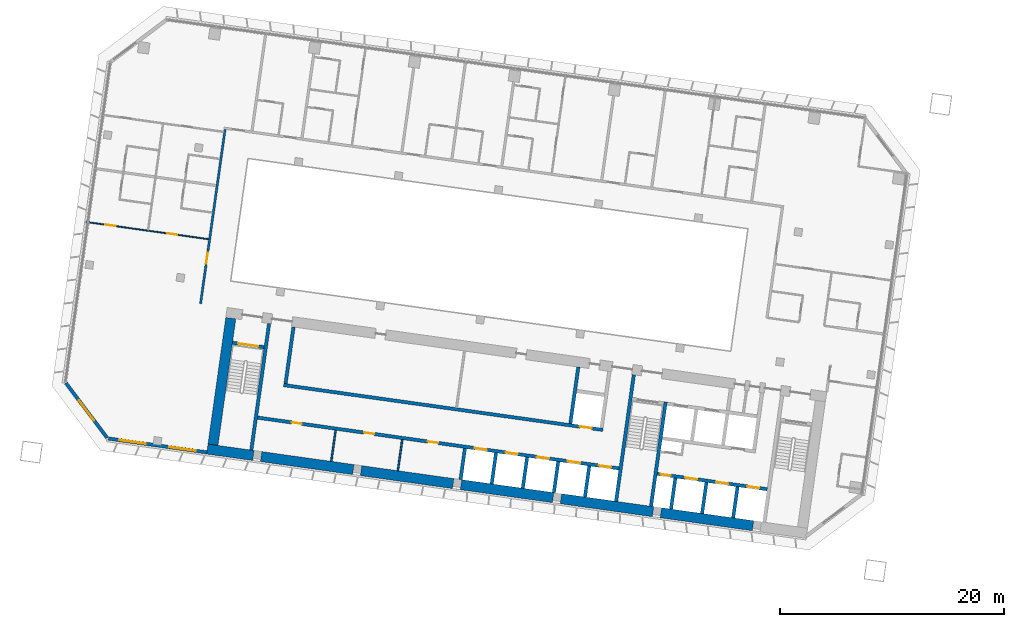
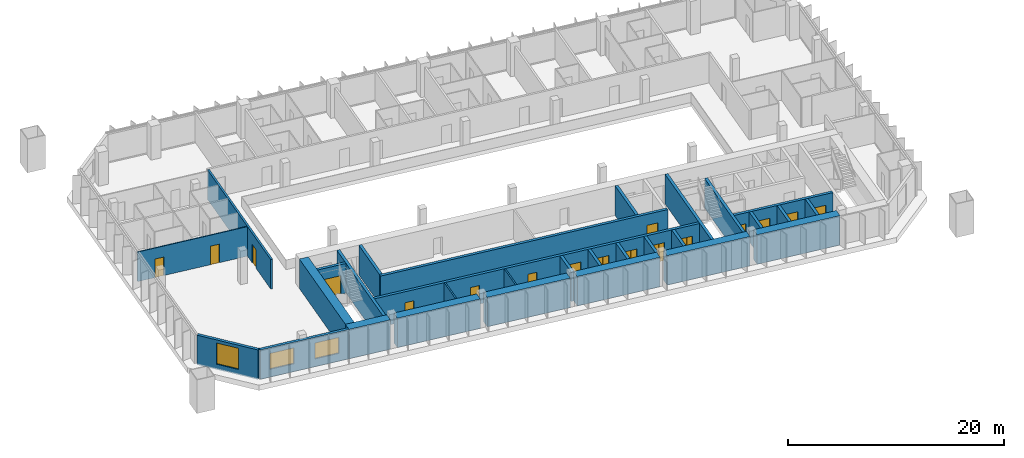
# One storey, part 14 of 25: 30 walls, 17 doors, 3 windows, 20 openings.
"""IFC4 building model written with IfcOpenShell, lengths in metres."""

import ifcopenshell
import ifcopenshell.guid

model = None  # the IFC model being written
_history = None  # IfcOwnerHistory: only IFC2X3 demands one
_inside = {}  # id of a spatial element -> (the spatial element, [elements in it])
_under = {}  # id of a project, library or spatial element -> (it, [spatial elements below it])
_declared = {}  # id of a project -> (the project, [libraries it declares])
_typed = {}  # id of a type object -> (the type object, [elements of that type])
_made_of = {}  # id of a material, layer set ... -> (it, [elements and type objects made of it])


def new_model(schema):
    """Start an empty IFC model of exactly this schema.

    Asked for "IFC4X3", IfcOpenShell would pick the latest addendum, in which some entities
    have other attributes; the version numbers below select the first issue.
    IFC2X3 requires an IfcOwnerHistory on every rooted entity: one is made here for all.
    """
    global model, _history
    if schema == "IFC4X3":
        model = ifcopenshell.file(schema_version=(4, 3, 0, 0))
    else:
        model = ifcopenshell.file(schema=schema)
    _inside.clear()
    _under.clear()
    _declared.clear()
    _typed.clear()
    _made_of.clear()
    _history = None
    if model.schema == "IFC2X3":
        org = make("IfcOrganization", Name="unknown")
        user = make(
            "IfcPersonAndOrganization",
            ThePerson=make("IfcPerson", FamilyName="unknown"),
            TheOrganization=org,
        )
        app = make(
            "IfcApplication",
            ApplicationDeveloper=org,
            Version="unknown",
            ApplicationFullName="unknown",
            ApplicationIdentifier="unknown",
        )
        _history = make(
            "IfcOwnerHistory",
            OwningUser=user,
            OwningApplication=app,
            ChangeAction="ADDED",
            CreationDate=0,
        )
    return model


def make(cls, **values):
    """One entity of the class cls with the attributes given. An attribute that is None is left unset."""
    return model.create_entity(
        cls, **{name: value for name, value in values.items() if value is not None}
    )


def rooted(cls, **values):
    """An entity with a GlobalId (a new one), such as an element, a storey or a relation."""
    return make(cls, GlobalId=ifcopenshell.guid.new(), OwnerHistory=_history, **values)


def si_unit(unit_type, name, prefix=None):
    """IfcSIUnit, for example si_unit("LENGTHUNIT", "METRE", prefix="MILLI")."""
    return make("IfcSIUnit", UnitType=unit_type, Prefix=prefix, Name=name)


def assignment(units):
    """IfcUnitAssignment: the units of a project."""
    return None if units is None else make("IfcUnitAssignment", Units=units)


def point(xyz):
    """IfcCartesianPoint."""
    return None if xyz is None else make("IfcCartesianPoint", Coordinates=xyz)


def direction(xyz):
    """IfcDirection."""
    return None if xyz is None else make("IfcDirection", DirectionRatios=xyz)


def frame(location, z_axis=None, x_axis=None):
    """IfcAxis2Placement3D, a coordinate frame: its origin and axes. An axis left out is left unset."""
    return make(
        "IfcAxis2Placement3D",
        Location=point(location),
        Axis=direction(z_axis),
        RefDirection=direction(x_axis),
    )


def frame_2d(location, x_axis=None):
    """IfcAxis2Placement2D, a coordinate frame in the plane: its origin and x axis."""
    return make(
        "IfcAxis2Placement2D", Location=point(location), RefDirection=direction(x_axis)
    )


def origin():
    """The frame at (0, 0, 0) with its axes left unset."""
    return frame((0.0, 0.0, 0.0))


def place(relative_to, where):
    """IfcLocalPlacement: puts the frame where relative to a parent placement (None: the world)."""
    return make(
        "IfcLocalPlacement", PlacementRelTo=relative_to, RelativePlacement=where
    )


def context(
    kind, dimensions, precision=None, world=None, true_north=None, identifier=None
):
    """IfcGeometricRepresentationContext, for example the 3D "Model" context."""
    return make(
        "IfcGeometricRepresentationContext",
        ContextIdentifier=identifier,
        ContextType=kind,
        CoordinateSpaceDimension=dimensions,
        Precision=precision,
        WorldCoordinateSystem=world,
        TrueNorth=true_north,
    )


def subcontext(parent, identifier, kind, view, scale=None):
    """IfcGeometricRepresentationSubContext, for example "Body" below "Model"."""
    return make(
        "IfcGeometricRepresentationSubContext",
        ContextIdentifier=identifier,
        ContextType=kind,
        ParentContext=parent,
        TargetScale=scale,
        TargetView=view,
    )


def project(units=None, contexts=None):
    """IfcProject with its units and contexts."""
    return rooted(
        "IfcProject",
        Name="project",
        RepresentationContexts=contexts,
        UnitsInContext=assignment(units),
    )


def spatial(cls, under=None, at=None, **own):
    """A site, building, storey or space (cls), placed at a placement, below another one or the project."""
    s = rooted(cls, ObjectPlacement=at, **own)
    if under is not None:
        _under.setdefault(under.id(), (under, []))[1].append(s)
    return s


def profile(cls, at=None, kind="AREA", **sizes):
    """A parametric profile (cls). Its sizes go by their IFC names, for example OverallWidth=200.0."""
    return make(cls, ProfileType=kind, Position=at, **sizes)


def rectangle(**sizes):
    """IfcRectangleProfileDef."""
    return profile("IfcRectangleProfileDef", **sizes)


def extrude(swept, where, along, depth):
    """IfcExtrudedAreaSolid: the profile swept, set in the frame where, extruded along a direction by depth."""
    return make(
        "IfcExtrudedAreaSolid",
        SweptArea=swept,
        Position=where,
        ExtrudedDirection=direction(along),
        Depth=depth,
    )


def shape(context_of_items, identifier, shape_type, items):
    """IfcShapeRepresentation: the items that make up one representation, for example the "Body"."""
    return make(
        "IfcShapeRepresentation",
        ContextOfItems=context_of_items,
        RepresentationIdentifier=identifier,
        RepresentationType=shape_type,
        Items=items,
    )


def material(Name=None, Category=None):
    """IfcMaterial."""
    return make("IfcMaterial", Name=Name, Category=Category)


def layer(
    of_material, thickness, ventilated=None, Name=None, Category=None, Priority=None
):
    """IfcMaterialLayer: one layer of a wall or slab, of a material (None: an air gap)."""
    return make(
        "IfcMaterialLayer",
        Material=of_material,
        LayerThickness=thickness,
        IsVentilated=ventilated,
        Name=Name,
        Category=Category,
        Priority=Priority,
    )


def layer_set(layers, Name=None):
    """IfcMaterialLayerSet."""
    return make("IfcMaterialLayerSet", MaterialLayers=layers, LayerSetName=Name)


def made_of(thing, what):
    """Note that an element or type object is made of a material, layer set ...; save() writes the relation."""
    if what is not None:
        _made_of.setdefault(what.id(), (what, []))[1].append(thing)
    return thing


def type_object(cls, material=None, **own):
    """A type object (cls), such as IfcWallType, which elements share."""
    return made_of(rooted(cls, **own), material)


def element(
    cls,
    number,
    at=None,
    inside=None,
    cuts=None,
    type_object=None,
    material=None,
    context=None,
    identifier="Body",
    shape_type=None,
    held_by="IfcProductDefinitionShape",
    body=None,
    shapes=None,
    **own,
):
    """One element of the class cls, such as IfcWall. Its Tag is "e" and its number.

    at: its placement. inside: the storey or other place that contains it. cuts: it is an
    opening in that element (IfcRelVoidsElement). A single representation is given by context,
    identifier, shape_type and body (its items); several are given by shapes. held_by: the class
    of the entity that holds the representations. save() writes the other relations.
    """
    e = rooted(cls, Tag="e%d" % number, ObjectPlacement=at, **own)
    if body is not None:
        shapes = [shape(context, identifier, shape_type, body)]
    if shapes is not None:
        e.Representation = make(held_by, Representations=shapes)
    if inside is not None:
        _inside.setdefault(inside.id(), (inside, []))[1].append(e)
    if cuts is not None:
        rooted(
            "IfcRelVoidsElement", RelatingBuildingElement=cuts, RelatedOpeningElement=e
        )
    if type_object is not None:
        _typed.setdefault(type_object.id(), (type_object, []))[1].append(e)
    return made_of(e, material)


def fill(opening, filler):
    """IfcRelFillsElement: the door or window that sits in an opening."""
    return rooted(
        "IfcRelFillsElement",
        RelatingOpeningElement=opening,
        RelatedBuildingElement=filler,
    )


def aggregate(whole, parts):
    """IfcRelAggregates: a whole, such as a stair, and the parts it consists of."""
    return rooted("IfcRelAggregates", RelatingObject=whole, RelatedObjects=parts)


def save(model, path):
    """Write the relations noted so far, then the file.

    IfcRelAggregates (storeys below a building ...), IfcRelContainedInSpatialStructure (elements
    in a storey), IfcRelDefinesByType, IfcRelAssociatesMaterial and IfcRelDeclares: one each for
    every whole, place, type object, material and project.
    """
    for whole, parts in _under.values():
        aggregate(whole, parts)
    for where, things in _inside.values():
        rooted(
            "IfcRelContainedInSpatialStructure",
            RelatedElements=things,
            RelatingStructure=where,
        )
    for kind, things in _typed.values():
        rooted("IfcRelDefinesByType", RelatedObjects=things, RelatingType=kind)
    for what, things in _made_of.values():
        rooted("IfcRelAssociatesMaterial", RelatedObjects=things, RelatingMaterial=what)
    for by, libraries in _declared.values():
        rooted("IfcRelDeclares", RelatingContext=by, RelatedDefinitions=libraries)
    model.write(path)


model = new_model("IFC4")

# Units and contexts
model_context = context("Model", 3, precision=1e-05, world=origin(), true_north=direction((0.0, 1.0)))
body_context = subcontext(model_context, "Body", "Model", "MODEL_VIEW")
ifc_project = project(units=[si_unit("LENGTHUNIT", "METRE"), si_unit("AREAUNIT", "SQUARE_METRE"), si_unit("VOLUMEUNIT", "CUBIC_METRE"), si_unit("PLANEANGLEUNIT", "RADIAN"), si_unit("MASSUNIT", "GRAM", prefix="KILO")], contexts=[model_context])

# Site, building, storey
site_placement = place(None, origin())
site = spatial("IfcSite", under=ifc_project, at=site_placement, CompositionType="ELEMENT")
building_placement = place(site_placement, origin())
building = spatial("IfcBuilding", under=site, at=building_placement, Name="Mirante Cascada Hotel Towers", CompositionType="ELEMENT")
storey_placement = place(building_placement, frame((0.0, 0.0, 54.7)))
storey = spatial("IfcBuildingStorey", under=building, at=storey_placement, Name="L10", CompositionType="ELEMENT", Elevation=54.7)

# Wall, opening, door
ifc_material_1 = material(Name="Fire-rated plasterboard on metal studs")
ifc_layer_1 = layer(ifc_material_1, 0.2)
ifc_layer_set_1 = layer_set([ifc_layer_1], Name="Compartment wall 200 EI 120")
wall_type_1 = type_object("IfcWallType", Name="Compartment wall 200 EI 120", PredefinedType="PARTITIONING", material=ifc_layer_set_1)
wall_1_placement = place(storey_placement, frame((-91.1145, 0.7321, 0.0), z_axis=(0.0, 0.0, 1.0), x_axis=(0.1391721, 0.9902682, 0.0)))
wall_1 = element("IfcWall", 1, at=wall_1_placement, inside=storey, type_object=wall_type_1, Name="Wall 1-L10-59", PredefinedType="PARTITIONING", context=body_context, shape_type="SweptSolid", body=[
    extrude(rectangle(XDim=15.7, YDim=0.2, at=frame_2d((7.85, 0.0))), origin(), (0.0, 0.0, 1.0), 3.35),
])
opening_1_placement = place(wall_1_placement, frame((3.6, 0.0, 0.0)))
opening_1 = element("IfcOpeningElement", 2, at=opening_1_placement, cuts=wall_1, Name="Opening D1-L10-38", PredefinedType="OPENING", context=body_context, shape_type="SweptSolid", body=[
    extrude(rectangle(XDim=1.0, YDim=2.1, at=frame_2d((0.5, 1.05))), frame((0.0, 0.1, 0.0), z_axis=(0.0, -1.0, 0.0), x_axis=(1.0, 0.0, 0.0)), (0.0, 0.0, 1.0), 0.2),
])
ifc_material_2 = material(Name="Fire-rated timber door leaf", Category="wood")
door_type_1 = type_object("IfcDoorType", Name="Entrance door DG1 1000x2100 EI 60", OperationType="SINGLE_SWING_LEFT", PredefinedType="DOOR", material=ifc_material_2)
door_1_placement = place(opening_1_placement, origin())
door_1 = element("IfcDoor", 3, at=door_1_placement, inside=storey, type_object=door_type_1, Name="Door D1-L10-38", OperationType="SINGLE_SWING_LEFT", OverallHeight=2.1, OverallWidth=1.0, PredefinedType="DOOR", context=body_context, shape_type="SweptSolid", body=[
    extrude(rectangle(XDim=1.0, YDim=2.1, at=frame_2d((0.5, 1.05))), frame((0.0, 0.025, 0.0), z_axis=(0.0, -1.0, 0.0), x_axis=(1.0, 0.0, 0.0)), (0.0, 0.0, 1.0), 0.05),
])
fill(opening_1, door_1)

# Walls
ifc_material_3 = material(Name="Masonry block", Category="masonry")
ifc_layer_2 = layer(ifc_material_3, 0.15)
ifc_layer_set_2 = layer_set([ifc_layer_2], Name="Core room partition 150 block EI 30")
wall_type_2 = type_object("IfcWallType", Name="Core room partition 150 block EI 30", PredefinedType="PARTITIONING", material=ifc_layer_set_2)
wall_2_placement = place(storey_placement, frame((-73.5161, -14.1621, 0.0), z_axis=(0.0, 0.0, 1.0), x_axis=(0.139176, 0.9902677, 0.0)))
element("IfcWall", 4, at=wall_2_placement, inside=storey, type_object=wall_type_2, Name="Core wall partition T1 L10 5", PredefinedType="PARTITIONING", context=body_context, shape_type="SweptSolid", body=[
    extrude(rectangle(XDim=2.8001, YDim=0.15, at=frame_2d((1.4, 0.0))), origin(), (0.0, 0.0, 1.0), 3.35),
])
wall_3_placement = place(storey_placement, frame((-79.4577, -13.327, 0.0), z_axis=(0.0, 0.0, 1.0), x_axis=(0.1391459, 0.9902719, 0.0)))
element("IfcWall", 5, at=wall_3_placement, inside=storey, type_object=wall_type_2, Name="Core wall partition T1 L10 6", PredefinedType="PARTITIONING", context=body_context, shape_type="SweptSolid", body=[
    extrude(rectangle(XDim=2.7999, YDim=0.15, at=frame_2d((1.4, 0.0))), origin(), (0.0, 0.0, 1.0), 3.35),
])

# Wall, openings, doors
ifc_material_4 = material(Name="Plasterboard on metal studs")
ifc_layer_3 = layer(ifc_material_4, 0.1)
ifc_layer_set_3 = layer_set([ifc_layer_3], Name="Partition 100")
wall_type_3 = type_object("IfcWallType", Name="Partition 100", PredefinedType="PARTITIONING", material=ifc_layer_set_3)
wall_4_placement = place(storey_placement, frame((-90.4064, 6.4896, 0.0), z_axis=(0.0, 0.0, 1.0), x_axis=(-0.990268, 0.1391733, 0.0)))
wall_4 = element("IfcWall", 6, at=wall_4_placement, inside=storey, type_object=wall_type_3, Name="Wall 1-L10-07", PredefinedType="PARTITIONING", context=body_context, shape_type="SweptSolid", body=[
    extrude(rectangle(XDim=11.0, YDim=0.1, at=frame_2d((5.5, 0.0))), origin(), (0.0, 0.0, 1.0), 3.35),
])
opening_2_placement = place(wall_4_placement, frame((2.825, 0.0, 0.0)))
opening_2 = element("IfcOpeningElement", 7, at=opening_2_placement, cuts=wall_4, Name="Opening D1-L10-02", PredefinedType="OPENING", context=body_context, shape_type="SweptSolid", body=[
    extrude(rectangle(XDim=0.9, YDim=2.1, at=frame_2d((0.45, 1.05))), frame((0.0, 0.05, 0.0), z_axis=(0.0, -1.0, 0.0), x_axis=(1.0, 0.0, 0.0)), (0.0, 0.0, 1.0), 0.1),
])
opening_3_placement = place(wall_4_placement, frame((8.375, 0.0, 0.0)))
opening_3 = element("IfcOpeningElement", 8, at=opening_3_placement, cuts=wall_4, Name="Opening D1-L10-03", PredefinedType="OPENING", context=body_context, shape_type="SweptSolid", body=[
    extrude(rectangle(XDim=0.9, YDim=2.1, at=frame_2d((0.45, 1.05))), frame((0.0, 0.05, 0.0), z_axis=(0.0, -1.0, 0.0), x_axis=(1.0, 0.0, 0.0)), (0.0, 0.0, 1.0), 0.1),
])
ifc_material_5 = material(Name="Timber door leaf", Category="wood")
door_type_2 = type_object("IfcDoorType", Name="Room door DG3 900x2100", OperationType="SINGLE_SWING_LEFT", PredefinedType="DOOR", material=ifc_material_5)
door_2_placement = place(opening_2_placement, origin())
door_2 = element("IfcDoor", 9, at=door_2_placement, inside=storey, type_object=door_type_2, Name="Door D1-L10-02", OperationType="SINGLE_SWING_LEFT", OverallHeight=2.1, OverallWidth=0.9, PredefinedType="DOOR", context=body_context, shape_type="SweptSolid", body=[
    extrude(rectangle(XDim=0.9, YDim=2.1, at=frame_2d((0.45, 1.05))), frame((0.0, 0.025, 0.0), z_axis=(0.0, -1.0, 0.0), x_axis=(1.0, 0.0, 0.0)), (0.0, 0.0, 1.0), 0.05),
])
fill(opening_2, door_2)
door_3_placement = place(opening_3_placement, origin())
door_3 = element("IfcDoor", 10, at=door_3_placement, inside=storey, type_object=door_type_2, Name="Door D1-L10-03", OperationType="SINGLE_SWING_LEFT", OverallHeight=2.1, OverallWidth=0.9, PredefinedType="DOOR", context=body_context, shape_type="SweptSolid", body=[
    extrude(rectangle(XDim=0.9, YDim=2.1, at=frame_2d((0.45, 1.05))), frame((0.0, 0.025, 0.0), z_axis=(0.0, -1.0, 0.0), x_axis=(1.0, 0.0, 0.0)), (0.0, 0.0, 1.0), 0.05),
])
fill(opening_3, door_3)

# Wall, openings, windows
ifc_material_6 = material(Name="Precast concrete C40/50", Category="concrete")
ifc_layer_4 = layer(ifc_material_6, 0.3)
ifc_layer_set_4 = layer_set([ifc_layer_4], Name="Precast concrete C40/50 cladding wall 300")
wall_type_4 = type_object("IfcWallType", Name="Precast concrete C40/50 cladding wall 300", PredefinedType="STANDARD", material=ifc_layer_set_4)
wall_5_placement = place(storey_placement, frame((-90.5541, -12.5249, 0.0), z_axis=(0.0, 0.0, 1.0), x_axis=(-0.9902676, 0.1391765, 0.0)))
wall_5 = element("IfcWall", 11, at=wall_5_placement, inside=storey, type_object=wall_type_4, Name="Rear cladding wall T1 L10 1", PredefinedType="STANDARD", context=body_context, shape_type="SweptSolid", body=[
    extrude(rectangle(XDim=8.8758, YDim=0.3, at=frame_2d((4.4379, 0.0))), origin(), (0.0, 0.0, 1.0), 3.35),
])
opening_4_placement = place(wall_5_placement, frame((1.0012, 0.0, 0.9)))
opening_4 = element("IfcOpeningElement", 12, at=opening_4_placement, cuts=wall_5, Name="Opening W1-10-01", PredefinedType="OPENING", context=body_context, shape_type="SweptSolid", body=[
    extrude(rectangle(XDim=2.4, YDim=1.8, at=frame_2d((1.2, 0.9))), frame((0.0, 0.15, 0.0), z_axis=(0.0, -1.0, 0.0), x_axis=(1.0, 0.0, 0.0)), (0.0, 0.0, 1.0), 0.3),
])
opening_5_placement = place(wall_5_placement, frame((5.4923, 0.0, 0.9)))
opening_5 = element("IfcOpeningElement", 13, at=opening_5_placement, cuts=wall_5, Name="Opening W1-10-02", PredefinedType="OPENING", context=body_context, shape_type="SweptSolid", body=[
    extrude(rectangle(XDim=2.4, YDim=1.8, at=frame_2d((1.2, 0.9))), frame((0.0, 0.15, 0.0), z_axis=(0.0, -1.0, 0.0), x_axis=(1.0, 0.0, 0.0)), (0.0, 0.0, 1.0), 0.3),
])
ifc_material_7 = material(Name="Aluminium frame with clear double glazing", Category="aluminium")
window_type_1 = type_object("IfcWindowType", Name="Punched window 2400x1800", PartitioningType="DOUBLE_PANEL_VERTICAL", PredefinedType="WINDOW", material=ifc_material_7)
window_1_placement = place(opening_4_placement, origin())
window_1 = element("IfcWindow", 14, at=window_1_placement, inside=storey, type_object=window_type_1, Name="Window W1-10-01", OverallHeight=1.8, OverallWidth=2.4, PartitioningType="SINGLE_PANEL", PredefinedType="WINDOW", context=body_context, shape_type="SweptSolid", body=[
    extrude(rectangle(XDim=2.4, YDim=1.8, at=frame_2d((1.2, 0.9))), frame((0.0, 0.03, 0.0), z_axis=(0.0, -1.0, 0.0), x_axis=(1.0, 0.0, 0.0)), (0.0, 0.0, 1.0), 0.06),
])
fill(opening_4, window_1)
window_2_placement = place(opening_5_placement, origin())
window_2 = element("IfcWindow", 15, at=window_2_placement, inside=storey, type_object=window_type_1, Name="Window W1-10-02", OverallHeight=1.8, OverallWidth=2.4, PartitioningType="SINGLE_PANEL", PredefinedType="WINDOW", context=body_context, shape_type="SweptSolid", body=[
    extrude(rectangle(XDim=2.4, YDim=1.8, at=frame_2d((1.2, 0.9))), frame((0.0, 0.03, 0.0), z_axis=(0.0, -1.0, 0.0), x_axis=(1.0, 0.0, 0.0)), (0.0, 0.0, 1.0), 0.06),
])
fill(opening_5, window_2)

# Wall, opening, window
wall_6_placement = place(storey_placement, frame((-99.4424, -11.2313, 0.0), z_axis=(0.0, 0.0, 1.0), x_axis=(-0.6018194, 0.7986322, 0.0)))
wall_6 = element("IfcWall", 16, at=wall_6_placement, inside=storey, type_object=wall_type_4, Name="Corner cladding wall T1 L10 rear outer", PredefinedType="STANDARD", context=body_context, shape_type="SweptSolid", body=[
    extrude(rectangle(XDim=6.1155, YDim=0.3, at=frame_2d((3.0578, 0.0))), origin(), (0.0, 0.0, 1.0), 3.35),
])
opening_6_placement = place(wall_6_placement, frame((1.9576, 0.0, 0.6)))
opening_6 = element("IfcOpeningElement", 17, at=opening_6_placement, cuts=wall_6, Name="Opening W1-10-03", PredefinedType="OPENING", context=body_context, shape_type="SweptSolid", body=[
    extrude(rectangle(XDim=2.2, YDim=2.4, at=frame_2d((1.1, 1.2))), frame((0.0, 0.15, 0.0), z_axis=(0.0, -1.0, 0.0), x_axis=(1.0, 0.0, 0.0)), (0.0, 0.0, 1.0), 0.3),
])
ifc_material_8 = material(Name="Aluminium frame with clear double glazing", Category="aluminium")
window_type_2 = type_object("IfcWindowType", Name="Corner suite window 2200x2400", PartitioningType="DOUBLE_PANEL_VERTICAL", PredefinedType="WINDOW", material=ifc_material_8)
window_3_placement = place(opening_6_placement, origin())
window_3 = element("IfcWindow", 18, at=window_3_placement, inside=storey, type_object=window_type_2, Name="Window W1-10-03", OverallHeight=2.4, OverallWidth=2.2, PartitioningType="SINGLE_PANEL", PredefinedType="WINDOW", context=body_context, shape_type="SweptSolid", body=[
    extrude(rectangle(XDim=2.2, YDim=2.4, at=frame_2d((1.1, 1.2))), frame((0.0, 0.03, 0.0), z_axis=(0.0, -1.0, 0.0), x_axis=(1.0, 0.0, 0.0)), (0.0, 0.0, 1.0), 0.06),
])
fill(opening_6, window_3)

# Walls
ifc_material_9 = material(Name="Concrete C50/60", Category="concrete")
ifc_layer_5 = layer(ifc_material_9, 0.3)
ifc_layer_set_5 = layer_set([ifc_layer_5], Name="RC core wall 300 C50/60")
wall_type_5 = type_object("IfcWallType", Name="RC core wall 300 C50/60", PredefinedType="SHEAR", material=ifc_layer_set_5)
wall_7_placement = place(storey_placement, frame((-50.938, -17.3352, 0.0), z_axis=(0.0, 0.0, 1.0), x_axis=(0.1391706, 0.9902684, 0.0)))
element("IfcWall", 19, at=wall_7_placement, inside=storey, type_object=wall_type_5, Name="Core wall T1:L10:6", PredefinedType="SHEAR", context=body_context, shape_type="SweptSolid", body=[
    extrude(rectangle(XDim=9.4, YDim=0.3, at=frame_2d((4.7, 0.0))), origin(), (0.0, 0.0, 1.0), 3.35),
])
wall_8_placement = place(storey_placement, frame((-54.0574, -16.8968, 0.0), z_axis=(0.0, 0.0, 1.0), x_axis=(0.1391761, 0.9902677, 0.0)))
element("IfcWall", 20, at=wall_8_placement, inside=storey, type_object=wall_type_5, Name="Core wall T1:L10:7", PredefinedType="SHEAR", context=body_context, shape_type="SweptSolid", body=[
    extrude(rectangle(XDim=11.3999, YDim=0.3, at=frame_2d((5.7, 0.0))), origin(), (0.0, 0.0, 1.0), 3.35),
])
wall_9_placement = place(storey_placement, frame((-86.5877, -12.325, 0.0), z_axis=(0.0, 0.0, 1.0), x_axis=(0.1391749, 0.9902678, 0.0)))
element("IfcWall", 21, at=wall_9_placement, inside=storey, type_object=wall_type_5, Name="Core wall T1:L10:8", PredefinedType="SHEAR", context=body_context, shape_type="SweptSolid", body=[
    extrude(rectangle(XDim=11.4, YDim=0.3, at=frame_2d((5.7, 0.0))), origin(), (0.0, 0.0, 1.0), 3.35),
])

# Wall, opening, door
wall_10_placement = place(storey_placement, frame((-85.4489, -3.1441, 0.0), z_axis=(0.0, 0.0, 1.0), x_axis=(-0.9902697, 0.1391613, 0.0)))
wall_10 = element("IfcWall", 22, at=wall_10_placement, inside=storey, type_object=wall_type_5, Name="Core wall T1:L10:11", PredefinedType="SHEAR", context=body_context, shape_type="SweptSolid", body=[
    extrude(rectangle(XDim=2.8499, YDim=0.3, at=frame_2d((1.425, 0.0))), origin(), (0.0, 0.0, 1.0), 3.35),
])
opening_7_placement = place(wall_10_placement, frame((0.525, 0.0, 0.0)))
opening_7 = element("IfcOpeningElement", 23, at=opening_7_placement, cuts=wall_10, Name="Opening D1-10-C17", PredefinedType="OPENING", context=body_context, shape_type="SweptSolid", body=[
    extrude(rectangle(XDim=1.8, YDim=2.1, at=frame_2d((0.9, 1.05))), frame((0.0, 0.15, 0.0), z_axis=(0.0, -1.0, 0.0), x_axis=(1.0, 0.0, 0.0)), (0.0, 0.0, 1.0), 0.3),
])
ifc_material_10 = material(Name="Hollow metal fire door leaf")
door_type_3 = type_object("IfcDoorType", Name="Double fire door 1800x2100 FD60", OperationType="DOUBLE_DOOR_SINGLE_SWING", PredefinedType="DOOR", material=ifc_material_10)
door_4_placement = place(opening_7_placement, origin())
door_4 = element("IfcDoor", 24, at=door_4_placement, inside=storey, type_object=door_type_3, Name="Stair door T1 L10 17", OperationType="DOUBLE_DOOR_SINGLE_SWING", OverallHeight=2.1, OverallWidth=1.8, PredefinedType="DOOR", context=body_context, shape_type="SweptSolid", body=[
    extrude(rectangle(XDim=0.895, YDim=2.1, at=frame_2d((0.4475, 1.05))), frame((0.0, 0.025, 0.0), z_axis=(0.0, -1.0, 0.0), x_axis=(1.0, 0.0, 0.0)), (0.0, 0.0, 1.0), 0.05),
    extrude(rectangle(XDim=0.895, YDim=2.1, at=frame_2d((1.3525, 1.05))), frame((0.0, 0.025, 0.0), z_axis=(0.0, -1.0, 0.0), x_axis=(1.0, 0.0, 0.0)), (0.0, 0.0, 1.0), 0.05),
])
fill(opening_7, door_4)

# Wall, openings, doors
wall_11_placement = place(storey_placement, frame((-40.5753, -15.8126, 0.0), z_axis=(0.0, 0.0, 1.0), x_axis=(-0.9902682, 0.1391725, 0.0)))
wall_11 = element("IfcWall", 25, at=wall_11_placement, inside=storey, type_object=wall_type_5, Name="Core wall T1:L10:12", PredefinedType="SHEAR", context=body_context, shape_type="SweptSolid", body=[
    extrude(rectangle(XDim=9.8999, YDim=0.3, at=frame_2d((4.95, 0.0))), origin(), (0.0, 0.0, 1.0), 3.35),
])
opening_8_placement = place(wall_11_placement, frame((0.7, 0.0, 0.0)))
opening_8 = element("IfcOpeningElement", 26, at=opening_8_placement, cuts=wall_11, Name="Opening LD", PredefinedType="OPENING", context=body_context, shape_type="SweptSolid", body=[
    extrude(rectangle(XDim=1.1, YDim=2.1, at=frame_2d((0.55, 1.05))), frame((0.0, 0.15, 0.0), z_axis=(0.0, -1.0, 0.0), x_axis=(1.0, 0.0, 0.0)), (0.0, 0.0, 1.0), 0.3),
])
opening_9_placement = place(wall_11_placement, frame((3.5, 0.0, 0.0)))
opening_9 = element("IfcOpeningElement", 27, at=opening_9_placement, cuts=wall_11, Name="Opening LD", PredefinedType="OPENING", context=body_context, shape_type="SweptSolid", body=[
    extrude(rectangle(XDim=1.1, YDim=2.1, at=frame_2d((0.55, 1.05))), frame((0.0, 0.15, 0.0), z_axis=(0.0, -1.0, 0.0), x_axis=(1.0, 0.0, 0.0)), (0.0, 0.0, 1.0), 0.3),
])
opening_10_placement = place(wall_11_placement, frame((6.3, 0.0, 0.0)))
opening_10 = element("IfcOpeningElement", 28, at=opening_10_placement, cuts=wall_11, Name="Opening LD", PredefinedType="OPENING", context=body_context, shape_type="SweptSolid", body=[
    extrude(rectangle(XDim=1.1, YDim=2.1, at=frame_2d((0.55, 1.05))), frame((0.0, 0.15, 0.0), z_axis=(0.0, -1.0, 0.0), x_axis=(1.0, 0.0, 0.0)), (0.0, 0.0, 1.0), 0.3),
])
opening_11_placement = place(wall_11_placement, frame((8.7, 0.0, 0.0)))
opening_11 = element("IfcOpeningElement", 29, at=opening_11_placement, cuts=wall_11, Name="Opening D1-10-C22", PredefinedType="OPENING", context=body_context, shape_type="SweptSolid", body=[
    extrude(rectangle(XDim=0.9, YDim=2.1, at=frame_2d((0.45, 1.05))), frame((0.0, 0.15, 0.0), z_axis=(0.0, -1.0, 0.0), x_axis=(1.0, 0.0, 0.0)), (0.0, 0.0, 1.0), 0.3),
])
ifc_material_11 = material(Name="Hollow metal fire door leaf")
door_type_4 = type_object("IfcDoorType", Name="Fire door 900x2100 FD60", OperationType="NOTDEFINED", PredefinedType="DOOR", material=ifc_material_11)
door_5_placement = place(opening_11_placement, origin())
door_5 = element("IfcDoor", 30, at=door_5_placement, inside=storey, type_object=door_type_4, Name="Riser door T1 L10 22", OperationType="SINGLE_SWING_LEFT", OverallHeight=2.1, OverallWidth=0.9, PredefinedType="DOOR", context=body_context, shape_type="SweptSolid", body=[
    extrude(rectangle(XDim=0.9, YDim=2.1, at=frame_2d((0.45, 1.05))), frame((0.0, 0.025, 0.0), z_axis=(0.0, -1.0, 0.0), x_axis=(1.0, 0.0, 0.0)), (0.0, 0.0, 1.0), 0.05),
])
fill(opening_11, door_5)
ifc_material_12 = material(Name="Stainless steel", Category="steel")
door_type_5 = type_object("IfcDoorType", Name="Lift landing door 1100x2100 EI 120", OperationType="DOUBLE_DOOR_SLIDING", PredefinedType="DOOR", material=ifc_material_12)
door_6_placement = place(opening_8_placement, origin())
door_6 = element("IfcDoor", 31, at=door_6_placement, inside=storey, type_object=door_type_5, Name="Lift landing door HR1-1 L10", OperationType="DOUBLE_DOOR_SLIDING", OverallHeight=2.1, OverallWidth=1.1, PredefinedType="DOOR", context=body_context, shape_type="SweptSolid", body=[
    extrude(rectangle(XDim=0.545, YDim=2.1, at=frame_2d((0.2725, 1.05))), frame((0.0, 0.025, 0.0), z_axis=(0.0, -1.0, 0.0), x_axis=(1.0, 0.0, 0.0)), (0.0, 0.0, 1.0), 0.05),
    extrude(rectangle(XDim=0.545, YDim=2.1, at=frame_2d((0.8275, 1.05))), frame((0.0, 0.025, 0.0), z_axis=(0.0, -1.0, 0.0), x_axis=(1.0, 0.0, 0.0)), (0.0, 0.0, 1.0), 0.05),
])
fill(opening_8, door_6)
door_7_placement = place(opening_9_placement, origin())
door_7 = element("IfcDoor", 32, at=door_7_placement, inside=storey, type_object=door_type_5, Name="Lift landing door HR1-2 L10", OperationType="DOUBLE_DOOR_SLIDING", OverallHeight=2.1, OverallWidth=1.1, PredefinedType="DOOR", context=body_context, shape_type="SweptSolid", body=[
    extrude(rectangle(XDim=0.545, YDim=2.1, at=frame_2d((0.2725, 1.05))), frame((0.0, 0.025, 0.0), z_axis=(0.0, -1.0, 0.0), x_axis=(1.0, 0.0, 0.0)), (0.0, 0.0, 1.0), 0.05),
    extrude(rectangle(XDim=0.545, YDim=2.1, at=frame_2d((0.8275, 1.05))), frame((0.0, 0.025, 0.0), z_axis=(0.0, -1.0, 0.0), x_axis=(1.0, 0.0, 0.0)), (0.0, 0.0, 1.0), 0.05),
])
fill(opening_9, door_7)
door_8_placement = place(opening_10_placement, origin())
door_8 = element("IfcDoor", 33, at=door_8_placement, inside=storey, type_object=door_type_5, Name="Lift landing door HR1-3 L10", OperationType="DOUBLE_DOOR_SLIDING", OverallHeight=2.1, OverallWidth=1.1, PredefinedType="DOOR", context=body_context, shape_type="SweptSolid", body=[
    extrude(rectangle(XDim=0.545, YDim=2.1, at=frame_2d((0.2725, 1.05))), frame((0.0, 0.025, 0.0), z_axis=(0.0, -1.0, 0.0), x_axis=(1.0, 0.0, 0.0)), (0.0, 0.0, 1.0), 0.05),
    extrude(rectangle(XDim=0.545, YDim=2.1, at=frame_2d((0.8275, 1.05))), frame((0.0, 0.025, 0.0), z_axis=(0.0, -1.0, 0.0), x_axis=(1.0, 0.0, 0.0)), (0.0, 0.0, 1.0), 0.05),
])
fill(opening_10, door_8)

# Walls
wall_12_placement = place(storey_placement, frame((-43.61, -18.3651, 0.0), z_axis=(0.0, 0.0, 1.0), x_axis=(0.1391459, 0.9902719, 0.0)))
element("IfcWall", 34, at=wall_12_placement, inside=storey, type_object=wall_type_5, Name="Core wall T1:L10:15", PredefinedType="SHEAR", context=body_context, shape_type="SweptSolid", body=[
    extrude(rectangle(XDim=2.7999, YDim=0.3, at=frame_2d((1.4, 0.0))), origin(), (0.0, 0.0, 1.0), 3.35),
])
wall_13_placement = place(storey_placement, frame((-46.3828, -17.9754, 0.0), z_axis=(0.0, 0.0, 1.0), x_axis=(0.139181, 0.990267, 0.0)))
element("IfcWall", 35, at=wall_13_placement, inside=storey, type_object=wall_type_5, Name="Core wall T1:L10:16", PredefinedType="SHEAR", context=body_context, shape_type="SweptSolid", body=[
    extrude(rectangle(XDim=2.8, YDim=0.3, at=frame_2d((1.4, 0.0))), origin(), (0.0, 0.0, 1.0), 3.35),
])
wall_14_placement = place(storey_placement, frame((-49.1555, -17.5857, 0.0), z_axis=(0.0, 0.0, 1.0), x_axis=(0.1391459, 0.9902719, 0.0)))
element("IfcWall", 36, at=wall_14_placement, inside=storey, type_object=wall_type_5, Name="Core wall T1:L10:17", PredefinedType="SHEAR", context=body_context, shape_type="SweptSolid", body=[
    extrude(rectangle(XDim=2.7999, YDim=0.3, at=frame_2d((1.4, 0.0))), origin(), (0.0, 0.0, 1.0), 3.35),
])

# Wall, openings, doors
wall_15_placement = place(storey_placement, frame((-53.7953, -13.9547, 0.0), z_axis=(0.0, 0.0, 1.0), x_axis=(-0.990268, 0.1391733, 0.0)))
wall_15 = element("IfcWall", 37, at=wall_15_placement, inside=storey, type_object=wall_type_5, Name="Core wall T1:L10:25", PredefinedType="SHEAR", context=body_context, shape_type="SweptSolid", body=[
    extrude(rectangle(XDim=32.5501, YDim=0.3, at=frame_2d((16.275, 0.0))), origin(), (0.0, 0.0, 1.0), 3.35),
])
opening_12_placement = place(wall_15_placement, frame((0.7, 0.0, 0.0)))
opening_12 = element("IfcOpeningElement", 38, at=opening_12_placement, cuts=wall_15, Name="Opening LD", PredefinedType="OPENING", context=body_context, shape_type="SweptSolid", body=[
    extrude(rectangle(XDim=1.1, YDim=2.1, at=frame_2d((0.55, 1.05))), frame((0.0, 0.15, 0.0), z_axis=(0.0, -1.0, 0.0), x_axis=(1.0, 0.0, 0.0)), (0.0, 0.0, 1.0), 0.3),
])
opening_13_placement = place(wall_15_placement, frame((3.5, 0.0, 0.0)))
opening_13 = element("IfcOpeningElement", 39, at=opening_13_placement, cuts=wall_15, Name="Opening LD", PredefinedType="OPENING", context=body_context, shape_type="SweptSolid", body=[
    extrude(rectangle(XDim=1.1, YDim=2.1, at=frame_2d((0.55, 1.05))), frame((0.0, 0.15, 0.0), z_axis=(0.0, -1.0, 0.0), x_axis=(1.0, 0.0, 0.0)), (0.0, 0.0, 1.0), 0.3),
])
opening_14_placement = place(wall_15_placement, frame((6.3, 0.0, 0.0)))
opening_14 = element("IfcOpeningElement", 40, at=opening_14_placement, cuts=wall_15, Name="Opening LD", PredefinedType="OPENING", context=body_context, shape_type="SweptSolid", body=[
    extrude(rectangle(XDim=1.1, YDim=2.1, at=frame_2d((0.55, 1.05))), frame((0.0, 0.15, 0.0), z_axis=(0.0, -1.0, 0.0), x_axis=(1.0, 0.0, 0.0)), (0.0, 0.0, 1.0), 0.3),
])
opening_15_placement = place(wall_15_placement, frame((9.1, 0.0, 0.0)))
opening_15 = element("IfcOpeningElement", 41, at=opening_15_placement, cuts=wall_15, Name="Opening LD", PredefinedType="OPENING", context=body_context, shape_type="SweptSolid", body=[
    extrude(rectangle(XDim=1.1, YDim=2.1, at=frame_2d((0.55, 1.05))), frame((0.0, 0.15, 0.0), z_axis=(0.0, -1.0, 0.0), x_axis=(1.0, 0.0, 0.0)), (0.0, 0.0, 1.0), 0.3),
])
opening_16_placement = place(wall_15_placement, frame((11.9, 0.0, 0.0)))
opening_16 = element("IfcOpeningElement", 42, at=opening_16_placement, cuts=wall_15, Name="Opening LD", PredefinedType="OPENING", context=body_context, shape_type="SweptSolid", body=[
    extrude(rectangle(XDim=1.1, YDim=2.1, at=frame_2d((0.55, 1.05))), frame((0.0, 0.15, 0.0), z_axis=(0.0, -1.0, 0.0), x_axis=(1.0, 0.0, 0.0)), (0.0, 0.0, 1.0), 0.3),
])
opening_17_placement = place(wall_15_placement, frame((16.3, 0.0, 0.0)))
opening_17 = element("IfcOpeningElement", 43, at=opening_17_placement, cuts=wall_15, Name="Opening D1-10-C26", PredefinedType="OPENING", context=body_context, shape_type="SweptSolid", body=[
    extrude(rectangle(XDim=0.9, YDim=2.1, at=frame_2d((0.45, 1.05))), frame((0.0, 0.15, 0.0), z_axis=(0.0, -1.0, 0.0), x_axis=(1.0, 0.0, 0.0)), (0.0, 0.0, 1.0), 0.3),
])
opening_18_placement = place(wall_15_placement, frame((22.05, 0.0, 0.0)))
opening_18 = element("IfcOpeningElement", 44, at=opening_18_placement, cuts=wall_15, Name="Opening D1-10-C27", PredefinedType="OPENING", context=body_context, shape_type="SweptSolid", body=[
    extrude(rectangle(XDim=0.9, YDim=2.1, at=frame_2d((0.45, 1.05))), frame((0.0, 0.15, 0.0), z_axis=(0.0, -1.0, 0.0), x_axis=(1.0, 0.0, 0.0)), (0.0, 0.0, 1.0), 0.3),
])
opening_19_placement = place(wall_15_placement, frame((28.575, 0.0, 0.0)))
opening_19 = element("IfcOpeningElement", 45, at=opening_19_placement, cuts=wall_15, Name="Opening D1-10-C28", PredefinedType="OPENING", context=body_context, shape_type="SweptSolid", body=[
    extrude(rectangle(XDim=0.9, YDim=2.1, at=frame_2d((0.45, 1.05))), frame((0.0, 0.15, 0.0), z_axis=(0.0, -1.0, 0.0), x_axis=(1.0, 0.0, 0.0)), (0.0, 0.0, 1.0), 0.3),
])
door_9_placement = place(opening_17_placement, origin())
door_9 = element("IfcDoor", 46, at=door_9_placement, inside=storey, type_object=door_type_4, Name="Room door T1 L10 26", OperationType="SINGLE_SWING_RIGHT", OverallHeight=2.1, OverallWidth=0.9, PredefinedType="DOOR", context=body_context, shape_type="SweptSolid", body=[
    extrude(rectangle(XDim=0.9, YDim=2.1, at=frame_2d((0.45, 1.05))), frame((0.0, 0.025, 0.0), z_axis=(0.0, -1.0, 0.0), x_axis=(1.0, 0.0, 0.0)), (0.0, 0.0, 1.0), 0.05),
])
fill(opening_17, door_9)
door_10_placement = place(opening_18_placement, origin())
door_10 = element("IfcDoor", 47, at=door_10_placement, inside=storey, type_object=door_type_4, Name="Room door T1 L10 27", OperationType="SINGLE_SWING_LEFT", OverallHeight=2.1, OverallWidth=0.9, PredefinedType="DOOR", context=body_context, shape_type="SweptSolid", body=[
    extrude(rectangle(XDim=0.9, YDim=2.1, at=frame_2d((0.45, 1.05))), frame((0.0, 0.025, 0.0), z_axis=(0.0, -1.0, 0.0), x_axis=(1.0, 0.0, 0.0)), (0.0, 0.0, 1.0), 0.05),
])
fill(opening_18, door_10)
door_11_placement = place(opening_19_placement, origin())
door_11 = element("IfcDoor", 48, at=door_11_placement, inside=storey, type_object=door_type_4, Name="Room door T1 L10 28", OperationType="SINGLE_SWING_LEFT", OverallHeight=2.1, OverallWidth=0.9, PredefinedType="DOOR", context=body_context, shape_type="SweptSolid", body=[
    extrude(rectangle(XDim=0.9, YDim=2.1, at=frame_2d((0.45, 1.05))), frame((0.0, 0.025, 0.0), z_axis=(0.0, -1.0, 0.0), x_axis=(1.0, 0.0, 0.0)), (0.0, 0.0, 1.0), 0.05),
])
fill(opening_19, door_11)
door_12_placement = place(opening_12_placement, origin())
door_12 = element("IfcDoor", 49, at=door_12_placement, inside=storey, type_object=door_type_5, Name="Lift landing door LR1-1 L10", OperationType="DOUBLE_DOOR_SLIDING", OverallHeight=2.1, OverallWidth=1.1, PredefinedType="DOOR", context=body_context, shape_type="SweptSolid", body=[
    extrude(rectangle(XDim=0.545, YDim=2.1, at=frame_2d((0.2725, 1.05))), frame((0.0, 0.025, 0.0), z_axis=(0.0, -1.0, 0.0), x_axis=(1.0, 0.0, 0.0)), (0.0, 0.0, 1.0), 0.05),
    extrude(rectangle(XDim=0.545, YDim=2.1, at=frame_2d((0.8275, 1.05))), frame((0.0, 0.025, 0.0), z_axis=(0.0, -1.0, 0.0), x_axis=(1.0, 0.0, 0.0)), (0.0, 0.0, 1.0), 0.05),
])
fill(opening_12, door_12)
door_13_placement = place(opening_13_placement, origin())
door_13 = element("IfcDoor", 50, at=door_13_placement, inside=storey, type_object=door_type_5, Name="Lift landing door LR1-2 L10", OperationType="DOUBLE_DOOR_SLIDING", OverallHeight=2.1, OverallWidth=1.1, PredefinedType="DOOR", context=body_context, shape_type="SweptSolid", body=[
    extrude(rectangle(XDim=0.545, YDim=2.1, at=frame_2d((0.2725, 1.05))), frame((0.0, 0.025, 0.0), z_axis=(0.0, -1.0, 0.0), x_axis=(1.0, 0.0, 0.0)), (0.0, 0.0, 1.0), 0.05),
    extrude(rectangle(XDim=0.545, YDim=2.1, at=frame_2d((0.8275, 1.05))), frame((0.0, 0.025, 0.0), z_axis=(0.0, -1.0, 0.0), x_axis=(1.0, 0.0, 0.0)), (0.0, 0.0, 1.0), 0.05),
])
fill(opening_13, door_13)
door_14_placement = place(opening_14_placement, origin())
door_14 = element("IfcDoor", 51, at=door_14_placement, inside=storey, type_object=door_type_5, Name="Lift landing door SV1-1 L10", OperationType="DOUBLE_DOOR_SLIDING", OverallHeight=2.1, OverallWidth=1.1, PredefinedType="DOOR", context=body_context, shape_type="SweptSolid", body=[
    extrude(rectangle(XDim=0.545, YDim=2.1, at=frame_2d((0.2725, 1.05))), frame((0.0, 0.025, 0.0), z_axis=(0.0, -1.0, 0.0), x_axis=(1.0, 0.0, 0.0)), (0.0, 0.0, 1.0), 0.05),
    extrude(rectangle(XDim=0.545, YDim=2.1, at=frame_2d((0.8275, 1.05))), frame((0.0, 0.025, 0.0), z_axis=(0.0, -1.0, 0.0), x_axis=(1.0, 0.0, 0.0)), (0.0, 0.0, 1.0), 0.05),
])
fill(opening_14, door_14)
door_15_placement = place(opening_15_placement, origin())
door_15 = element("IfcDoor", 52, at=door_15_placement, inside=storey, type_object=door_type_5, Name="Lift landing door SV1-2 L10", OperationType="DOUBLE_DOOR_SLIDING", OverallHeight=2.1, OverallWidth=1.1, PredefinedType="DOOR", context=body_context, shape_type="SweptSolid", body=[
    extrude(rectangle(XDim=0.545, YDim=2.1, at=frame_2d((0.2725, 1.05))), frame((0.0, 0.025, 0.0), z_axis=(0.0, -1.0, 0.0), x_axis=(1.0, 0.0, 0.0)), (0.0, 0.0, 1.0), 0.05),
    extrude(rectangle(XDim=0.545, YDim=2.1, at=frame_2d((0.8275, 1.05))), frame((0.0, 0.025, 0.0), z_axis=(0.0, -1.0, 0.0), x_axis=(1.0, 0.0, 0.0)), (0.0, 0.0, 1.0), 0.05),
])
fill(opening_15, door_15)
door_16_placement = place(opening_16_placement, origin())
door_16 = element("IfcDoor", 53, at=door_16_placement, inside=storey, type_object=door_type_5, Name="Lift landing door SV1-3 L10", OperationType="DOUBLE_DOOR_SLIDING", OverallHeight=2.1, OverallWidth=1.1, PredefinedType="DOOR", context=body_context, shape_type="SweptSolid", body=[
    extrude(rectangle(XDim=0.545, YDim=2.1, at=frame_2d((0.2725, 1.05))), frame((0.0, 0.025, 0.0), z_axis=(0.0, -1.0, 0.0), x_axis=(1.0, 0.0, 0.0)), (0.0, 0.0, 1.0), 0.05),
    extrude(rectangle(XDim=0.545, YDim=2.1, at=frame_2d((0.8275, 1.05))), frame((0.0, 0.025, 0.0), z_axis=(0.0, -1.0, 0.0), x_axis=(1.0, 0.0, 0.0)), (0.0, 0.0, 1.0), 0.05),
])
fill(opening_16, door_16)

# Walls
for number, where, z_axis, x_axis, name in (
    (54, (-56.8301, -16.5072, 0.0), (0.0, 0.0, 1.0), (0.139176, 0.9902677, 0.0), "Core wall T1:L10:26"),
    (55, (-59.6029, -16.1175, 0.0), (0.0, 0.0, 1.0), (0.139176, 0.9902677, 0.0), "Core wall T1:L10:27"),
    (56, (-62.3756, -15.7278, 0.0), (0.0, 0.0, 1.0), (0.139176, 0.9902677, 0.0), "Core wall T1:L10:28"),
    (57, (-65.1484, -15.3381, 0.0), (0.0, 0.0, 1.0), (0.139176, 0.9902677, 0.0), "Core wall T1:L10:29"),
):
    element("IfcWall", number, at=place(storey_placement, frame(where, z_axis=z_axis, x_axis=x_axis)), inside=storey, type_object=wall_type_5, Name=name, PredefinedType="SHEAR", context=body_context, shape_type="SweptSolid", body=[
        extrude(rectangle(XDim=2.8001, YDim=0.3, at=frame_2d((1.4, 0.0))), origin(), (0.0, 0.0, 1.0), 3.35),
    ])
wall_16_placement = place(storey_placement, frame((-67.9211, -14.9484, 0.0), z_axis=(0.0, 0.0, 1.0), x_axis=(0.139181, 0.990267, 0.0)))
element("IfcWall", 58, at=wall_16_placement, inside=storey, type_object=wall_type_5, Name="Core wall T1:L10:30", PredefinedType="SHEAR", context=body_context, shape_type="SweptSolid", body=[
    extrude(rectangle(XDim=2.8, YDim=0.3, at=frame_2d((1.4, 0.0))), origin(), (0.0, 0.0, 1.0), 3.35),
])

# Wall, opening, door
wall_17_placement = place(storey_placement, frame((-55.2315, -10.5214, 0.0), z_axis=(0.0, 0.0, 1.0), x_axis=(-0.9902682, 0.1391722, 0.0)))
wall_17 = element("IfcWall", 59, at=wall_17_placement, inside=storey, type_object=wall_type_5, Name="Core wall T1:L10:33", PredefinedType="SHEAR", context=body_context, shape_type="SweptSolid", body=[
    extrude(rectangle(XDim=28.75, YDim=0.3, at=frame_2d((14.375, 0.0))), origin(), (0.0, 0.0, 1.0), 3.35),
])
opening_20_placement = place(wall_17_placement, frame((1.0, 0.0, 0.0)))
opening_20 = element("IfcOpeningElement", 60, at=opening_20_placement, cuts=wall_17, Name="Opening LD", PredefinedType="OPENING", context=body_context, shape_type="SweptSolid", body=[
    extrude(rectangle(XDim=1.1, YDim=2.1, at=frame_2d((0.55, 1.05))), frame((0.0, 0.15, 0.0), z_axis=(0.0, -1.0, 0.0), x_axis=(1.0, 0.0, 0.0)), (0.0, 0.0, 1.0), 0.3),
])
door_17_placement = place(opening_20_placement, origin())
door_17 = element("IfcDoor", 61, at=door_17_placement, inside=storey, type_object=door_type_5, Name="Lift landing door LR1-3 L10", OperationType="DOUBLE_DOOR_SLIDING", OverallHeight=2.1, OverallWidth=1.1, PredefinedType="DOOR", context=body_context, shape_type="SweptSolid", body=[
    extrude(rectangle(XDim=0.545, YDim=2.1, at=frame_2d((0.2725, 1.05))), frame((0.0, 0.025, 0.0), z_axis=(0.0, -1.0, 0.0), x_axis=(1.0, 0.0, 0.0)), (0.0, 0.0, 1.0), 0.05),
    extrude(rectangle(XDim=0.545, YDim=2.1, at=frame_2d((0.8275, 1.05))), frame((0.0, 0.025, 0.0), z_axis=(0.0, -1.0, 0.0), x_axis=(1.0, 0.0, 0.0)), (0.0, 0.0, 1.0), 0.05),
])
fill(opening_20, door_17)

# Walls
for number, where, z_axis, x_axis, name in (
    (62, (-83.5323, -6.3925, 0.0), (0.0, 0.0, 1.0), (0.1391755, 0.9902677, 0.0), "Core wall T1:L10:35"),
    (63, (-58.1319, -9.9623, 0.0), (0.0, 0.0, 1.0), (0.1391755, 0.9902677, 0.0), "Core wall T1:L10:36"),
):
    element("IfcWall", number, at=place(storey_placement, frame(where, z_axis=z_axis, x_axis=x_axis)), inside=storey, type_object=wall_type_5, Name=name, PredefinedType="SHEAR", context=body_context, shape_type="SweptSolid", body=[
        extrude(rectangle(XDim=5.1, YDim=0.3, at=frame_2d((2.55, 0.0))), origin(), (0.0, 0.0, 1.0), 3.35),
    ])
ifc_material_13 = material(Name="Concrete C50/60", Category="concrete")
ifc_layer_6 = layer(ifc_material_13, 0.9)
ifc_layer_set_6 = layer_set([ifc_layer_6], Name="RC core wall 900 C50/60")
wall_type_6 = type_object("IfcWallType", Name="RC core wall 900 C50/60", PredefinedType="SHEAR", material=ifc_layer_set_6)
for number, where, z_axis, x_axis, name in (
    (64, (-41.8407, -19.0682, 0.0), (0.0, 0.0, 1.0), (-0.9902686, 0.1391692, 0.0), "Core wall T1:L10:1.2"),
    (65, (-50.7531, -17.8156, 0.0), (0.0, 0.0, 1.0), (-0.9902686, 0.1391692, 0.0), "Core wall T1:L10:1.3"),
    (66, (-59.6655, -16.5631, 0.0), (0.0, 0.0, 1.0), (-0.9902686, 0.1391692, 0.0), "Core wall T1:L10:1.4"),
    (67, (-68.5779, -15.3105, 0.0), (0.0, 0.0, 1.0), (-0.9902686, 0.1391692, 0.0), "Core wall T1:L10:1.5"),
    (68, (-77.4903, -14.058, 0.0), (0.0, 0.0, 1.0), (-0.990267, 0.139181, 0.0), "Core wall T1:L10:1.6"),
):
    element("IfcWall", number, at=place(storey_placement, frame(where, z_axis=z_axis, x_axis=x_axis)), inside=storey, type_object=wall_type_6, Name=name, PredefinedType="SHEAR", context=body_context, shape_type="SweptSolid", body=[
        extrude(rectangle(XDim=8.3, YDim=0.9, at=frame_2d((4.15, 0.0))), origin(), (0.0, 0.0, 1.0), 3.35),
    ])
wall_18_placement = place(storey_placement, frame((-86.4027, -12.8054, 0.0), z_axis=(0.0, 0.0, 1.0), x_axis=(-0.990267, 0.139181, 0.0)))
element("IfcWall", 69, at=wall_18_placement, inside=storey, type_object=wall_type_6, Name="Core wall T1:L10:1.7", PredefinedType="SHEAR", context=body_context, shape_type="SweptSolid", body=[
    extrude(rectangle(XDim=4.15, YDim=0.9, at=frame_2d((2.075, 0.0))), origin(), (0.0, 0.0, 1.0), 3.35),
])
wall_19_placement = place(storey_placement, frame((-90.0041, -11.8449, 0.0), z_axis=(0.0, 0.0, 1.0), x_axis=(0.1391749, 0.9902678, 0.0)))
element("IfcWall", 70, at=wall_19_placement, inside=storey, type_object=wall_type_6, Name="Core wall T1:L10:4", PredefinedType="SHEAR", context=body_context, shape_type="SweptSolid", body=[
    extrude(rectangle(XDim=11.4, YDim=0.9, at=frame_2d((5.7, 0.0))), origin(), (0.0, 0.0, 1.0), 3.35),
])

save(model, "model.ifc")
